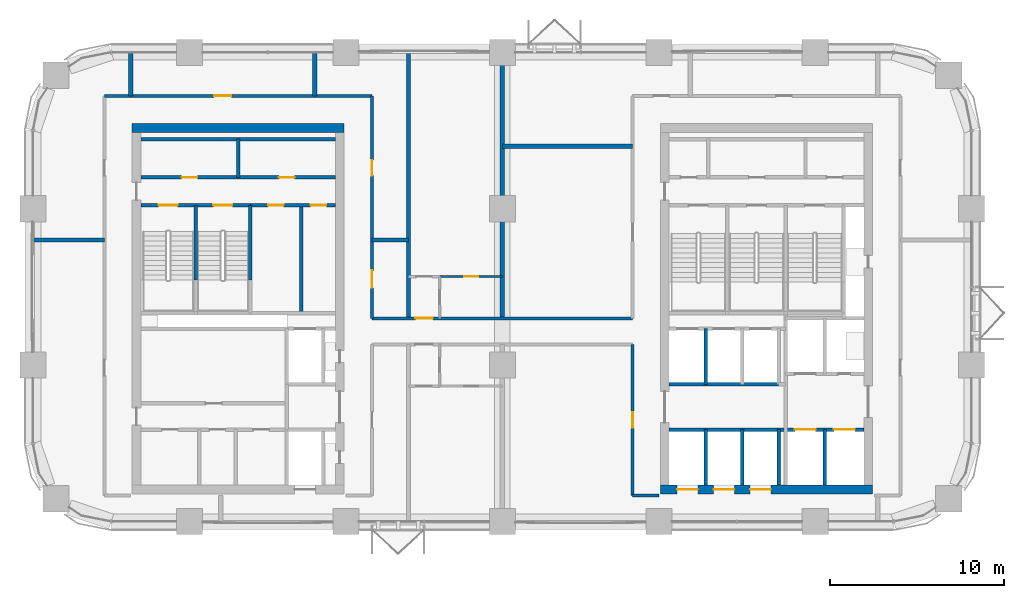
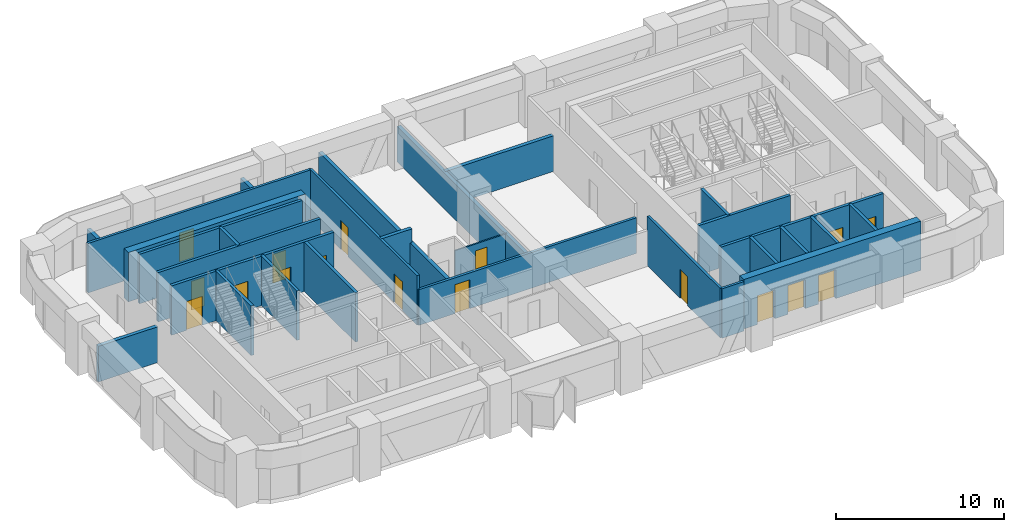
# One storey, part 9 of 13: 30 walls, 17 doors, 17 openings.
"""IFC4 building model written with IfcOpenShell, lengths in metres."""

from ifc_helpers import new_model, si_unit, direction, frame, frame_2d, origin, place, context, subcontext, project, spatial, rectangle, extrude, material, layer, layer_set, type_object, element, fill, save


model = new_model("IFC4")

# Units and contexts
model_context = context("Model", 3, precision=1e-05, world=origin(), true_north=direction((0.0, 1.0)))
body_context = subcontext(model_context, "Body", "Model", "MODEL_VIEW")
ifc_project = project(units=[si_unit("LENGTHUNIT", "METRE"), si_unit("AREAUNIT", "SQUARE_METRE"), si_unit("VOLUMEUNIT", "CUBIC_METRE"), si_unit("PLANEANGLEUNIT", "RADIAN"), si_unit("MASSUNIT", "GRAM", prefix="KILO")], contexts=[model_context])

# Site, building, storey
site_placement = place(None, origin())
site = spatial("IfcSite", under=ifc_project, at=site_placement, CompositionType="ELEMENT")
building_placement = place(site_placement, origin())
building = spatial("IfcBuilding", under=site, at=building_placement, Name="Tessera Arch", CompositionType="ELEMENT")
storey_placement = place(building_placement, frame((0.0, 0.0, 162.199951171875)))
storey = spatial("IfcBuildingStorey", under=building, at=storey_placement, Name="L38", CompositionType="ELEMENT", Elevation=162.199951171875)

# Walls
ifc_material_1 = material(Name="Gypsum board on steel stud", Category="steel")
ifc_layer_1 = layer(ifc_material_1, 0.125)
ifc_layer_set_1 = layer_set([ifc_layer_1], Name="Core partition 125 EI 60")
wall_type_1 = type_object("IfcWallType", Name="Core partition 125 EI 60", PredefinedType="PARTITIONING", material=ifc_layer_set_1)
wall_1_placement = place(storey_placement, frame((11.800048828125, 46.800048828125, 0.0), z_axis=(0.0, 0.0, 1.0), x_axis=(0.0, 1.0, 0.0)))
element("IfcWall", 1, at=wall_1_placement, inside=storey, type_object=wall_type_1, Name="L38 C2 partition wall 5", PredefinedType="PARTITIONING", context=body_context, shape_type="SweptSolid", body=[
    extrude(rectangle(XDim=2.199951171875, YDim=0.199951171875, at=frame_2d((1.10009765625, 0.0))), origin(), (0.0, 0.0, 1.0), 3.60009765625),
])
wall_2_placement = place(storey_placement, frame((15.43994140625, 39.0, 0.0), z_axis=(0.0, 0.0, 1.0), x_axis=(0.0, 1.0, 0.0)))
element("IfcWall", 2, at=wall_2_placement, inside=storey, type_object=wall_type_1, Name="L38 C2 partition wall 11", PredefinedType="PARTITIONING", context=body_context, shape_type="SweptSolid", body=[
    extrude(rectangle(XDim=6.199951171875, YDim=0.199951171875, at=frame_2d((3.10009765625, 0.0))), origin(), (0.0, 0.0, 1.0), 3.60009765625),
])

# Wall, openings, doors
wall_3_placement = place(storey_placement, frame((12.5, 45.199951171875, 0.0), z_axis=(0.0, 0.0, 1.0), x_axis=(1.0, 0.0, 0.0)))
wall_3 = element("IfcWall", 3, at=wall_3_placement, inside=storey, type_object=wall_type_1, Name="L38 C2 partition wall 23", PredefinedType="PARTITIONING", context=body_context, shape_type="SweptSolid", body=[
    extrude(rectangle(XDim=4.89990234375, YDim=0.199951171875, at=frame_2d((2.449951171875, 0.0))), origin(), (0.0, 0.0, 1.0), 3.60009765625),
])
opening_1_placement = place(wall_3_placement, frame((1.02001953125, 0.0, 0.0)))
opening_1 = element("IfcOpeningElement", 4, at=opening_1_placement, cuts=wall_3, Name="Opening L38-C32", PredefinedType="OPENING", context=body_context, shape_type="SweptSolid", body=[
    extrude(rectangle(XDim=0.89990234375, YDim=2.10009765625, at=frame_2d((0.449951171875, 1.050048828125))), frame((0.0, 0.10986328125, 0.0), z_axis=(0.0, -1.0, 0.0), x_axis=(1.0, 0.0, 0.0)), (0.0, 0.0, 1.0), 0.219970703125),
])
opening_2_placement = place(wall_3_placement, frame((3.469970703125, 0.0, 0.0)))
opening_2 = element("IfcOpeningElement", 5, at=opening_2_placement, cuts=wall_3, Name="Opening L38-C33", PredefinedType="OPENING", context=body_context, shape_type="SweptSolid", body=[
    extrude(rectangle(XDim=0.89990234375, YDim=2.10009765625, at=frame_2d((0.449951171875, 1.050048828125))), frame((0.0, 0.10986328125, 0.0), z_axis=(0.0, -1.0, 0.0), x_axis=(1.0, 0.0, 0.0)), (0.0, 0.0, 1.0), 0.219970703125),
])
ifc_material_2 = material(Name="Steel door leaf", Category="steel")
door_type_1 = type_object("IfcDoorType", Name="Store door FD30S 900 x 2100", OperationType="SINGLE_SWING_LEFT", PredefinedType="DOOR", material=ifc_material_2)
door_1_placement = place(opening_1_placement, origin())
door_1 = element("IfcDoor", 6, at=door_1_placement, inside=storey, type_object=door_type_1, Name="L38 C2 door 12 C32 type D09", OperationType="SINGLE_SWING_LEFT", OverallHeight=2.10009765625, OverallWidth=0.89990234375, PredefinedType="DOOR", context=body_context, shape_type="SweptSolid", body=[
    extrude(rectangle(XDim=0.89990234375, YDim=2.10009765625, at=frame_2d((0.449951171875, 1.050048828125))), frame((0.0, 0.02490234375, 0.0), z_axis=(0.0, -1.0, 0.0), x_axis=(1.0, 0.0, 0.0)), (0.0, 0.0, 1.0), 0.050048828125),
])
fill(opening_1, door_1)
door_2_placement = place(opening_2_placement, origin())
door_2 = element("IfcDoor", 7, at=door_2_placement, inside=storey, type_object=door_type_1, Name="L38 C2 door 13 C33 type D09", OperationType="SINGLE_SWING_RIGHT", OverallHeight=2.10009765625, OverallWidth=0.89990234375, PredefinedType="DOOR", context=body_context, shape_type="SweptSolid", body=[
    extrude(rectangle(XDim=0.89990234375, YDim=2.10009765625, at=frame_2d((0.449951171875, 1.050048828125))), frame((0.0, 0.02490234375, 0.0), z_axis=(0.0, -1.0, 0.0), x_axis=(1.0, 0.0, 0.0)), (0.0, 0.0, 1.0), 0.050048828125),
])
fill(opening_2, door_2)

wall_4_placement = place(storey_placement, frame((6.199951171875, 46.800048828125, 0.0), z_axis=(0.0, 0.0, 1.0), x_axis=(1.0, 0.0, 0.0)))
wall_4 = element("IfcWall", 8, at=wall_4_placement, inside=storey, type_object=wall_type_1, Name="L38 C2 partition wall 25", PredefinedType="PARTITIONING", context=body_context, shape_type="SweptSolid", body=[
    extrude(rectangle(XDim=11.199951171875, YDim=0.199951171875, at=frame_2d((5.60009765625, 0.0))), origin(), (0.0, 0.0, 1.0), 3.60009765625),
])
opening_3_placement = place(wall_4_placement, frame((2.35009765625, 0.0, 0.0)))
opening_3 = element("IfcOpeningElement", 9, at=opening_3_placement, cuts=wall_4, Name="Opening L38-C30", PredefinedType="OPENING", context=body_context, shape_type="SweptSolid", body=[
    extrude(rectangle(XDim=0.89990234375, YDim=2.10009765625, at=frame_2d((0.449951171875, 1.050048828125))), frame((0.0, 0.10986328125, 0.0), z_axis=(0.0, -1.0, 0.0), x_axis=(1.0, 0.0, 0.0)), (0.0, 0.0, 1.0), 0.219970703125),
])
opening_4_placement = place(wall_4_placement, frame((7.949951171875, 0.0, 0.0)))
opening_4 = element("IfcOpeningElement", 10, at=opening_4_placement, cuts=wall_4, Name="Opening L38-C31", PredefinedType="OPENING", context=body_context, shape_type="SweptSolid", body=[
    extrude(rectangle(XDim=0.89990234375, YDim=2.10009765625, at=frame_2d((0.449951171875, 1.050048828125))), frame((0.0, 0.10986328125, 0.0), z_axis=(0.0, -1.0, 0.0), x_axis=(1.0, 0.0, 0.0)), (0.0, 0.0, 1.0), 0.219970703125),
])
door_3_placement = place(opening_3_placement, origin())
door_3 = element("IfcDoor", 11, at=door_3_placement, inside=storey, type_object=door_type_1, Name="L38 C2 door 10 C30 type D09", OperationType="SINGLE_SWING_LEFT", OverallHeight=2.10009765625, OverallWidth=0.89990234375, PredefinedType="DOOR", context=body_context, shape_type="SweptSolid", body=[
    extrude(rectangle(XDim=0.89990234375, YDim=2.10009765625, at=frame_2d((0.449951171875, 1.050048828125))), frame((0.0, 0.02490234375, 0.0), z_axis=(0.0, -1.0, 0.0), x_axis=(1.0, 0.0, 0.0)), (0.0, 0.0, 1.0), 0.050048828125),
])
fill(opening_3, door_3)
door_4_placement = place(opening_4_placement, origin())
door_4 = element("IfcDoor", 12, at=door_4_placement, inside=storey, type_object=door_type_1, Name="L38 C2 door 11 C31 type D09", OperationType="SINGLE_SWING_RIGHT", OverallHeight=2.10009765625, OverallWidth=0.89990234375, PredefinedType="DOOR", context=body_context, shape_type="SweptSolid", body=[
    extrude(rectangle(XDim=0.89990234375, YDim=2.10009765625, at=frame_2d((0.449951171875, 1.050048828125))), frame((0.0, 0.02490234375, 0.0), z_axis=(0.0, -1.0, 0.0), x_axis=(1.0, 0.0, 0.0)), (0.0, 0.0, 1.0), 0.050048828125),
])
fill(opening_4, door_4)

# Wall
wall_5_placement = place(storey_placement, frame((6.199951171875, 49.0, 0.0), z_axis=(0.0, 0.0, 1.0), x_axis=(1.0, 0.0, 0.0)))
element("IfcWall", 13, at=wall_5_placement, inside=storey, type_object=wall_type_1, Name="L38 C2 partition wall 26", PredefinedType="PARTITIONING", context=body_context, shape_type="SweptSolid", body=[
    extrude(rectangle(XDim=11.199951171875, YDim=0.199951171875, at=frame_2d((5.60009765625, 0.0))), origin(), (0.0, 0.0, 1.0), 3.60009765625),
])

# Wall, openings, doors
ifc_material_3 = material(Name="Concrete C60/75", Category="concrete")
ifc_layer_2 = layer(ifc_material_3, 0.5)
ifc_layer_set_2 = layer_set([ifc_layer_2], Name="Core shell wall 500 C60-75")
wall_type_2 = type_object("IfcWallType", Name="Core shell wall 500 C60-75", PredefinedType="SHEAR", material=ifc_layer_set_2)
wall_6_placement = place(storey_placement, frame((36.10009765625, 28.85009765625, 0.0), z_axis=(0.0, 0.0, 1.0), x_axis=(1.0, 0.0, 0.0)))
wall_6 = element("IfcWall", 14, at=wall_6_placement, inside=storey, type_object=wall_type_2, Name="L38 C1 core wall S", PredefinedType="SHEAR", context=body_context, shape_type="SweptSolid", body=[
    extrude(rectangle(XDim=12.199951171875, YDim=0.5, at=frame_2d((6.10009765625, 0.0))), origin(), (0.0, 0.0, 1.0), 3.60009765625),
])
opening_5_placement = place(wall_6_placement, frame((0.949951171875, 0.0, 0.0)))
opening_5 = element("IfcOpeningElement", 15, at=opening_5_placement, cuts=wall_6, Name="Opening L38-C01", PredefinedType="OPENING", context=body_context, shape_type="SweptSolid", body=[
    extrude(rectangle(XDim=1.199951171875, YDim=2.10009765625, at=frame_2d((0.60009765625, 1.050048828125))), frame((0.0, 0.260009765625, 0.0), z_axis=(0.0, -1.0, 0.0), x_axis=(1.0, 0.0, 0.0)), (0.0, 0.0, 1.0), 0.52001953125),
])
opening_6_placement = place(wall_6_placement, frame((3.050048828125, 0.0, 0.0)))
opening_6 = element("IfcOpeningElement", 16, at=opening_6_placement, cuts=wall_6, Name="Opening L38-C03", PredefinedType="OPENING", context=body_context, shape_type="SweptSolid", body=[
    extrude(rectangle(XDim=1.199951171875, YDim=2.10009765625, at=frame_2d((0.60009765625, 1.050048828125))), frame((0.0, 0.260009765625, 0.0), z_axis=(0.0, -1.0, 0.0), x_axis=(1.0, 0.0, 0.0)), (0.0, 0.0, 1.0), 0.52001953125),
])
opening_7_placement = place(wall_6_placement, frame((5.14990234375, 0.0, 0.0)))
opening_7 = element("IfcOpeningElement", 17, at=opening_7_placement, cuts=wall_6, Name="Opening L38-C05", PredefinedType="OPENING", context=body_context, shape_type="SweptSolid", body=[
    extrude(rectangle(XDim=1.199951171875, YDim=2.10009765625, at=frame_2d((0.60009765625, 1.050048828125))), frame((0.0, 0.260009765625, 0.0), z_axis=(0.0, -1.0, 0.0), x_axis=(1.0, 0.0, 0.0)), (0.0, 0.0, 1.0), 0.52001953125),
])
ifc_material_4 = material(Name="Stainless steel AISI 304", Category="steel")
door_type_2 = type_object("IfcDoorType", Name="Sliding landing door 1200 x 2100", OperationType="SLIDING_TO_LEFT", PredefinedType="DOOR", material=ifc_material_4)
door_5_placement = place(opening_5_placement, origin())
door_5 = element("IfcDoor", 18, at=door_5_placement, inside=storey, type_object=door_type_2, Name="L38 HR1 lift landing door C01 type LD", OperationType="SLIDING_TO_LEFT", OverallHeight=2.10009765625, OverallWidth=1.199951171875, PredefinedType="DOOR", context=body_context, shape_type="SweptSolid", body=[
    extrude(rectangle(XDim=1.199951171875, YDim=2.10009765625, at=frame_2d((0.60009765625, 1.050048828125))), frame((0.0, 0.02490234375, 0.0), z_axis=(0.0, -1.0, 0.0), x_axis=(1.0, 0.0, 0.0)), (0.0, 0.0, 1.0), 0.050048828125),
])
fill(opening_5, door_5)
door_6_placement = place(opening_6_placement, origin())
door_6 = element("IfcDoor", 19, at=door_6_placement, inside=storey, type_object=door_type_2, Name="L38 HR2 lift landing door C03 type LD", OperationType="SLIDING_TO_LEFT", OverallHeight=2.10009765625, OverallWidth=1.199951171875, PredefinedType="DOOR", context=body_context, shape_type="SweptSolid", body=[
    extrude(rectangle(XDim=1.199951171875, YDim=2.10009765625, at=frame_2d((0.60009765625, 1.050048828125))), frame((0.0, 0.02490234375, 0.0), z_axis=(0.0, -1.0, 0.0), x_axis=(1.0, 0.0, 0.0)), (0.0, 0.0, 1.0), 0.050048828125),
])
fill(opening_6, door_6)
door_7_placement = place(opening_7_placement, origin())
door_7 = element("IfcDoor", 20, at=door_7_placement, inside=storey, type_object=door_type_2, Name="L38 HR3 lift landing door C05 type LD", OperationType="SLIDING_TO_LEFT", OverallHeight=2.10009765625, OverallWidth=1.199951171875, PredefinedType="DOOR", context=body_context, shape_type="SweptSolid", body=[
    extrude(rectangle(XDim=1.199951171875, YDim=2.10009765625, at=frame_2d((0.60009765625, 1.050048828125))), frame((0.0, 0.02490234375, 0.0), z_axis=(0.0, -1.0, 0.0), x_axis=(1.0, 0.0, 0.0)), (0.0, 0.0, 1.0), 0.050048828125),
])
fill(opening_7, door_7)

# Walls
wall_7_placement = place(storey_placement, frame((5.699951171875, 49.64990234375, 0.0), z_axis=(0.0, 0.0, 1.0), x_axis=(1.0, 0.0, 0.0)))
element("IfcWall", 21, at=wall_7_placement, inside=storey, type_object=wall_type_2, Name="L38 C2 core wall N", PredefinedType="SHEAR", context=body_context, shape_type="SweptSolid", body=[
    extrude(rectangle(XDim=12.199951171875, YDim=0.5, at=frame_2d((6.10009765625, 0.0))), origin(), (0.0, 0.0, 1.0), 3.60009765625),
])
ifc_material_5 = material(Name="Gypsum board on deep steel stud with mineral wool", Category="steel")
ifc_layer_3 = layer(ifc_material_5, 0.175048828125)
ifc_layer_set_3 = layer_set([ifc_layer_3], Name="Corridor wall 175 EI 60")
wall_type_3 = type_object("IfcWallType", Name="Corridor wall 175 EI 60", PredefinedType="PARTITIONING", material=ifc_layer_set_3)
wall_8_placement = place(storey_placement, frame((34.5, 28.5, 0.0), z_axis=(0.0, 0.0, 1.0), x_axis=(1.0, 0.0, 0.0)))
element("IfcWall", 22, at=wall_8_placement, inside=storey, type_object=wall_type_3, Name="L38 partition 3", PredefinedType="PARTITIONING", context=body_context, shape_type="SweptSolid", body=[
    extrude(rectangle(XDim=1.5, YDim=0.175048828125, at=frame_2d((0.75, 0.0))), origin(), (0.0, 0.0, 1.0), 3.60009765625),
])

# Wall, opening, door
wall_9_placement = place(storey_placement, frame((19.5, 38.699951171875, 0.0), z_axis=(0.0, 0.0, 1.0), x_axis=(1.0, 0.0, 0.0)))
wall_9 = element("IfcWall", 23, at=wall_9_placement, inside=storey, type_object=wall_type_3, Name="L38 partition 6", PredefinedType="PARTITIONING", context=body_context, shape_type="SweptSolid", body=[
    extrude(rectangle(XDim=15.0, YDim=0.175048828125, at=frame_2d((7.5, 0.0))), origin(), (0.0, 0.0, 1.0), 2.60009765625),
])
opening_8_placement = place(wall_9_placement, frame((2.5, 0.0, 0.0)))
opening_8 = element("IfcOpeningElement", 24, at=opening_8_placement, cuts=wall_9, Name="Opening L38-D011", PredefinedType="OPENING", context=body_context, shape_type="SweptSolid", body=[
    extrude(rectangle(XDim=1.0, YDim=2.10009765625, at=frame_2d((0.5, 1.050048828125))), frame((0.0, 0.097412109375, 0.0), z_axis=(0.0, -1.0, 0.0), x_axis=(1.0, 0.0, 0.0)), (0.0, 0.0, 1.0), 0.195068359375),
])
ifc_material_6 = material(Name="Fire-rated door leaf")
door_type_3 = type_object("IfcDoorType", Name="Entrance door FD30S 1000 x 2100", OperationType="SINGLE_SWING_LEFT", PredefinedType="DOOR", material=ifc_material_6)
door_8_placement = place(opening_8_placement, origin())
door_8 = element("IfcDoor", 25, at=door_8_placement, inside=storey, type_object=door_type_3, Name="L38 door D011 type D03", OperationType="SINGLE_SWING_RIGHT", OverallHeight=2.10009765625, OverallWidth=1.0, PredefinedType="DOOR", context=body_context, shape_type="SweptSolid", body=[
    extrude(rectangle(XDim=1.0, YDim=2.10009765625, at=frame_2d((0.5, 1.050048828125))), frame((0.0, 0.02490234375, 0.0), z_axis=(0.0, -1.0, 0.0), x_axis=(1.0, 0.0, 0.0)), (0.0, 0.0, 1.0), 0.050048828125),
])
fill(opening_8, door_8)

wall_10_placement = place(storey_placement, frame((4.10009765625, 51.5, 0.0), z_axis=(0.0, 0.0, 1.0), x_axis=(1.0, 0.0, 0.0)))
wall_10 = element("IfcWall", 26, at=wall_10_placement, inside=storey, type_object=wall_type_3, Name="L38 partition 7", PredefinedType="PARTITIONING", context=body_context, shape_type="SweptSolid", body=[
    extrude(rectangle(XDim=15.39990234375, YDim=0.175048828125, at=frame_2d((7.699951171875, 0.0))), origin(), (0.0, 0.0, 1.0), 3.60009765625),
])
opening_9_placement = place(wall_10_placement, frame((6.314453125, 0.0, 0.0)))
opening_9 = element("IfcOpeningElement", 27, at=opening_9_placement, cuts=wall_10, Name="Opening L38-D019", PredefinedType="OPENING", context=body_context, shape_type="SweptSolid", body=[
    extrude(rectangle(XDim=1.0, YDim=2.10009765625, at=frame_2d((0.5, 1.050048828125))), frame((0.0, 0.097412109375, 0.0), z_axis=(0.0, -1.0, 0.0), x_axis=(1.0, 0.0, 0.0)), (0.0, 0.0, 1.0), 0.195068359375),
])
door_9_placement = place(opening_9_placement, origin())
door_9 = element("IfcDoor", 28, at=door_9_placement, inside=storey, type_object=door_type_3, Name="L38 door D019 type D03", OperationType="SINGLE_SWING_LEFT", OverallHeight=2.10009765625, OverallWidth=1.0, PredefinedType="DOOR", context=body_context, shape_type="SweptSolid", body=[
    extrude(rectangle(XDim=1.0, YDim=2.10009765625, at=frame_2d((0.5, 1.050048828125))), frame((0.0, 0.02490234375, 0.0), z_axis=(0.0, -1.0, 0.0), x_axis=(1.0, 0.0, 0.0)), (0.0, 0.0, 1.0), 0.050048828125),
])
fill(opening_9, door_9)

# Wall, openings, doors
wall_11_placement = place(storey_placement, frame((19.5, 38.699951171875, 0.0), z_axis=(0.0, 0.0, 1.0), x_axis=(0.0, 1.0, 0.0)))
wall_11 = element("IfcWall", 29, at=wall_11_placement, inside=storey, type_object=wall_type_3, Name="L38 partition 11", PredefinedType="PARTITIONING", context=body_context, shape_type="SweptSolid", body=[
    extrude(rectangle(XDim=12.800048828125, YDim=0.175048828125, at=frame_2d((6.39990234375, 0.0))), origin(), (0.0, 0.0, 1.0), 3.60009765625),
])
opening_10_placement = place(wall_11_placement, frame((1.75, 0.0, 0.0)))
opening_10 = element("IfcOpeningElement", 30, at=opening_10_placement, cuts=wall_11, Name="Opening L38-D009", PredefinedType="OPENING", context=body_context, shape_type="SweptSolid", body=[
    extrude(rectangle(XDim=1.0, YDim=2.10009765625, at=frame_2d((0.5, 1.050048828125))), frame((0.0, 0.097412109375, 0.0), z_axis=(0.0, -1.0, 0.0), x_axis=(1.0, 0.0, 0.0)), (0.0, 0.0, 1.0), 0.195068359375),
])
opening_11_placement = place(wall_11_placement, frame((8.199951171875, 0.0, 0.0)))
opening_11 = element("IfcOpeningElement", 31, at=opening_11_placement, cuts=wall_11, Name="Opening L38-D017", PredefinedType="OPENING", context=body_context, shape_type="SweptSolid", body=[
    extrude(rectangle(XDim=0.89990234375, YDim=2.10009765625, at=frame_2d((0.449951171875, 1.050048828125))), frame((0.0, 0.097412109375, 0.0), z_axis=(0.0, -1.0, 0.0), x_axis=(1.0, 0.0, 0.0)), (0.0, 0.0, 1.0), 0.195068359375),
])
door_10_placement = place(opening_10_placement, origin())
door_10 = element("IfcDoor", 32, at=door_10_placement, inside=storey, type_object=door_type_3, Name="L38 door D009 type D03", OperationType="SINGLE_SWING_LEFT", OverallHeight=2.10009765625, OverallWidth=1.0, PredefinedType="DOOR", context=body_context, shape_type="SweptSolid", body=[
    extrude(rectangle(XDim=1.0, YDim=2.10009765625, at=frame_2d((0.5, 1.050048828125))), frame((0.0, 0.02490234375, 0.0), z_axis=(0.0, -1.0, 0.0), x_axis=(1.0, 0.0, 0.0)), (0.0, 0.0, 1.0), 0.050048828125),
])
fill(opening_10, door_10)
ifc_material_7 = material(Name="Timber door leaf", Category="wood")
door_type_4 = type_object("IfcDoorType", Name="Room door 900 x 2100", OperationType="SINGLE_SWING_LEFT", PredefinedType="DOOR", material=ifc_material_7)
door_11_placement = place(opening_11_placement, origin())
door_11 = element("IfcDoor", 33, at=door_11_placement, inside=storey, type_object=door_type_4, Name="L38 door D017 type D01", OperationType="SINGLE_SWING_RIGHT", OverallHeight=2.10009765625, OverallWidth=0.89990234375, PredefinedType="DOOR", context=body_context, shape_type="SweptSolid", body=[
    extrude(rectangle(XDim=0.89990234375, YDim=2.10009765625, at=frame_2d((0.449951171875, 1.050048828125))), frame((0.0, 0.02490234375, 0.0), z_axis=(0.0, -1.0, 0.0), x_axis=(1.0, 0.0, 0.0)), (0.0, 0.0, 1.0), 0.050048828125),
])
fill(opening_11, door_11)

# Wall, opening, door
wall_12_placement = place(storey_placement, frame((34.5, 28.5, 0.0), z_axis=(0.0, 0.0, 1.0), x_axis=(0.0, 1.0, 0.0)))
wall_12 = element("IfcWall", 34, at=wall_12_placement, inside=storey, type_object=wall_type_3, Name="L38 partition 12", PredefinedType="PARTITIONING", context=body_context, shape_type="SweptSolid", body=[
    extrude(rectangle(XDim=8.699951171875, YDim=0.175048828125, at=frame_2d((4.35009765625, 0.0))), origin(), (0.0, 0.0, 1.0), 3.60009765625),
])
opening_12_placement = place(wall_12_placement, frame((3.89990234375, 0.0, 0.0)))
opening_12 = element("IfcOpeningElement", 35, at=opening_12_placement, cuts=wall_12, Name="Opening L38-D002", PredefinedType="OPENING", context=body_context, shape_type="SweptSolid", body=[
    extrude(rectangle(XDim=0.89990234375, YDim=2.10009765625, at=frame_2d((0.449951171875, 1.050048828125))), frame((0.0, 0.097412109375, 0.0), z_axis=(0.0, -1.0, 0.0), x_axis=(1.0, 0.0, 0.0)), (0.0, 0.0, 1.0), 0.195068359375),
])
door_12_placement = place(opening_12_placement, origin())
door_12 = element("IfcDoor", 36, at=door_12_placement, inside=storey, type_object=door_type_4, Name="L38 door D002 type D01", OperationType="SINGLE_SWING_RIGHT", OverallHeight=2.10009765625, OverallWidth=0.89990234375, PredefinedType="DOOR", context=body_context, shape_type="SweptSolid", body=[
    extrude(rectangle(XDim=0.89990234375, YDim=2.10009765625, at=frame_2d((0.449951171875, 1.050048828125))), frame((0.0, 0.02490234375, 0.0), z_axis=(0.0, -1.0, 0.0), x_axis=(1.0, 0.0, 0.0)), (0.0, 0.0, 1.0), 0.050048828125),
])
fill(opening_12, door_12)

# Walls
ifc_material_8 = material(Name="Double gypsum board on twin steel stud with acoustic mineral wool", Category="steel")
ifc_layer_4 = layer(ifc_material_8, 0.25)
ifc_layer_set_4 = layer_set([ifc_layer_4], Name="Party wall 250 EI 60")
wall_type_4 = type_object("IfcWallType", Name="Party wall 250 EI 60", PredefinedType="PARTITIONING", material=ifc_layer_set_4)
wall_13_placement = place(storey_placement, frame((0.0, 43.199951171875, 0.0), z_axis=(0.0, 0.0, 1.0), x_axis=(1.0, 0.0, 0.0)))
element("IfcWall", 37, at=wall_13_placement, inside=storey, type_object=wall_type_4, Name="L38 partition 17", PredefinedType="PARTITIONING", context=body_context, shape_type="SweptSolid", body=[
    extrude(rectangle(XDim=4.10009765625, YDim=0.25, at=frame_2d((2.050048828125, 0.0))), origin(), (0.0, 0.0, 1.0), 2.60009765625),
])
wall_14_placement = place(storey_placement, frame((19.5, 43.199951171875, 0.0), z_axis=(0.0, 0.0, 1.0), x_axis=(1.0, 0.0, 0.0)))
element("IfcWall", 38, at=wall_14_placement, inside=storey, type_object=wall_type_4, Name="L38 partition 18", PredefinedType="PARTITIONING", context=body_context, shape_type="SweptSolid", body=[
    extrude(rectangle(XDim=2.10009765625, YDim=0.25, at=frame_2d((1.050048828125, 0.0))), origin(), (0.0, 0.0, 1.0), 3.60009765625),
])
wall_15_placement = place(storey_placement, frame((27.0, 48.60009765625, 0.0), z_axis=(0.0, 0.0, 1.0), x_axis=(1.0, 0.0, 0.0)))
element("IfcWall", 39, at=wall_15_placement, inside=storey, type_object=wall_type_4, Name="L38 partition 20", PredefinedType="PARTITIONING", context=body_context, shape_type="SweptSolid", body=[
    extrude(rectangle(XDim=7.5, YDim=0.25, at=frame_2d((3.75, 0.0))), origin(), (0.0, 0.0, 1.0), 2.60009765625),
])
for number, where, z_axis, x_axis, name in (
    (40, (5.62890625, 51.5, 0.0), (0.0, 0.0, 1.0), (0.0, 1.0, 0.0), "L38 partition 21"),
    (41, (16.199951171875, 51.5, 0.0), (0.0, 0.0, 1.0), (0.0, 1.0, 0.0), "L38 partition 23"),
):
    element("IfcWall", number, at=place(storey_placement, frame(where, z_axis=z_axis, x_axis=x_axis)), inside=storey, type_object=wall_type_4, Name=name, PredefinedType="PARTITIONING", context=body_context, shape_type="SweptSolid", body=[
        extrude(rectangle(XDim=2.5, YDim=0.25, at=frame_2d((1.25, 0.0))), origin(), (0.0, 0.0, 1.0), 2.60009765625),
    ])
for number, where, z_axis, x_axis, name in (
    (42, (21.60009765625, 38.699951171875, 0.0), (0.0, 0.0, 1.0), (0.0, 1.0, 0.0), "L38 partition 25"),
    (43, (27.0, 38.699951171875, 0.0), (0.0, 0.0, 1.0), (0.0, 1.0, 0.0), "L38 partition 27"),
):
    element("IfcWall", number, at=place(storey_placement, frame(where, z_axis=z_axis, x_axis=x_axis)), inside=storey, type_object=wall_type_4, Name=name, PredefinedType="PARTITIONING", context=body_context, shape_type="SweptSolid", body=[
        extrude(rectangle(XDim=15.300048828125, YDim=0.25, at=frame_2d((7.64990234375, 0.0))), origin(), (0.0, 0.0, 1.0), 2.60009765625),
    ])
ifc_material_9 = material(Name="Concrete C40/50", Category="concrete")
ifc_layer_5 = layer(ifc_material_9, 0.199951171875)
ifc_layer_set_5 = layer_set([ifc_layer_5], Name="Shaft wall 200 EI 120")
wall_type_5 = type_object("IfcWallType", Name="Shaft wall 200 EI 120", PredefinedType="SOLIDWALL", material=ifc_layer_set_5)
wall_16_placement = place(storey_placement, frame((38.699951171875, 29.10009765625, 0.0), z_axis=(0.0, 0.0, 1.0), x_axis=(0.0, 1.0, 0.0)))
element("IfcWall", 44, at=wall_16_placement, inside=storey, type_object=wall_type_5, Name="L38 C1 shaft wall 1", PredefinedType="SOLIDWALL", context=body_context, shape_type="SweptSolid", body=[
    extrude(rectangle(XDim=3.199951171875, YDim=0.199951171875, at=frame_2d((1.60009765625, 0.0))), origin(), (0.0, 0.0, 1.0), 3.60009765625),
])
wall_17_placement = place(storey_placement, frame((38.699951171875, 34.89990234375, 0.0), z_axis=(0.0, 0.0, 1.0), x_axis=(0.0, 1.0, 0.0)))
element("IfcWall", 45, at=wall_17_placement, inside=storey, type_object=wall_type_5, Name="L38 C1 shaft wall 2", PredefinedType="SOLIDWALL", context=body_context, shape_type="SweptSolid", body=[
    extrude(rectangle(XDim=3.2001953125, YDim=0.199951171875, at=frame_2d((1.60009765625, 0.0))), origin(), (0.0, 0.0, 1.0), 3.60009765625),
])
for number, where, z_axis, x_axis, name in (
    (46, (40.800048828125, 29.10009765625, 0.0), (0.0, 0.0, 1.0), (0.0, 1.0, 0.0), "L38 C1 shaft wall 6"),
    (47, (42.89990234375, 29.10009765625, 0.0), (0.0, 0.0, 1.0), (0.0, 1.0, 0.0), "L38 C1 shaft wall 8"),
    (48, (45.550048828125, 29.10009765625, 0.0), (0.0, 0.0, 1.0), (0.0, 1.0, 0.0), "L38 C1 shaft wall 14"),
):
    element("IfcWall", number, at=place(storey_placement, frame(where, z_axis=z_axis, x_axis=x_axis)), inside=storey, type_object=wall_type_5, Name=name, PredefinedType="SOLIDWALL", context=body_context, shape_type="SweptSolid", body=[
        extrude(rectangle(XDim=3.199951171875, YDim=0.199951171875, at=frame_2d((1.60009765625, 0.0))), origin(), (0.0, 0.0, 1.0), 3.60009765625),
    ])

# Wall, openings, doors
wall_18_placement = place(storey_placement, frame((36.60009765625, 32.300048828125, 0.0), z_axis=(0.0, 0.0, 1.0), x_axis=(1.0, 0.0, 0.0)))
wall_18 = element("IfcWall", 49, at=wall_18_placement, inside=storey, type_object=wall_type_5, Name="L38 C1 shaft wall 19", PredefinedType="SOLIDWALL", context=body_context, shape_type="SweptSolid", body=[
    extrude(rectangle(XDim=11.199951171875, YDim=0.199951171875, at=frame_2d((5.60009765625, 0.0))), origin(), (0.0, 0.0, 1.0), 3.60009765625),
])
opening_13_placement = place(wall_18_placement, frame((7.22509765625, 0.0, 0.0)))
opening_13 = element("IfcOpeningElement", 50, at=opening_13_placement, cuts=wall_18, Name="Opening L38-C07", PredefinedType="OPENING", context=body_context, shape_type="SweptSolid", body=[
    extrude(rectangle(XDim=1.199951171875, YDim=2.10009765625, at=frame_2d((0.60009765625, 1.050048828125))), frame((0.0, 0.10986328125, 0.0), z_axis=(0.0, -1.0, 0.0), x_axis=(1.0, 0.0, 0.0)), (0.0, 0.0, 1.0), 0.219970703125),
])
opening_14_placement = place(wall_18_placement, frame((9.47509765625, 0.0, 0.0)))
opening_14 = element("IfcOpeningElement", 51, at=opening_14_placement, cuts=wall_18, Name="Opening L38-C08", PredefinedType="OPENING", context=body_context, shape_type="SweptSolid", body=[
    extrude(rectangle(XDim=1.199951171875, YDim=2.10009765625, at=frame_2d((0.60009765625, 1.050048828125))), frame((0.0, 0.10986328125, 0.0), z_axis=(0.0, -1.0, 0.0), x_axis=(1.0, 0.0, 0.0)), (0.0, 0.0, 1.0), 0.219970703125),
])
door_13_placement = place(opening_13_placement, origin())
door_13 = element("IfcDoor", 52, at=door_13_placement, inside=storey, type_object=door_type_2, Name="L38 FF1 lift landing door C07 type LD", OperationType="SLIDING_TO_LEFT", OverallHeight=2.10009765625, OverallWidth=1.199951171875, PredefinedType="DOOR", context=body_context, shape_type="SweptSolid", body=[
    extrude(rectangle(XDim=1.199951171875, YDim=2.10009765625, at=frame_2d((0.60009765625, 1.050048828125))), frame((0.0, 0.02490234375, 0.0), z_axis=(0.0, -1.0, 0.0), x_axis=(1.0, 0.0, 0.0)), (0.0, 0.0, 1.0), 0.050048828125),
])
fill(opening_13, door_13)
door_14_placement = place(opening_14_placement, origin())
door_14 = element("IfcDoor", 53, at=door_14_placement, inside=storey, type_object=door_type_2, Name="L38 FF2 lift landing door C08 type LD", OperationType="SLIDING_TO_LEFT", OverallHeight=2.10009765625, OverallWidth=1.199951171875, PredefinedType="DOOR", context=body_context, shape_type="SweptSolid", body=[
    extrude(rectangle(XDim=1.199951171875, YDim=2.10009765625, at=frame_2d((0.60009765625, 1.050048828125))), frame((0.0, 0.02490234375, 0.0), z_axis=(0.0, -1.0, 0.0), x_axis=(1.0, 0.0, 0.0)), (0.0, 0.0, 1.0), 0.050048828125),
])
fill(opening_14, door_14)

# Walls
wall_19_placement = place(storey_placement, frame((36.60009765625, 34.89990234375, 0.0), z_axis=(0.0, 0.0, 1.0), x_axis=(1.0, 0.0, 0.0)))
element("IfcWall", 54, at=wall_19_placement, inside=storey, type_object=wall_type_5, Name="L38 C1 shaft wall 21", PredefinedType="SOLIDWALL", context=body_context, shape_type="SweptSolid", body=[
    extrude(rectangle(XDim=6.2998046875, YDim=0.199951171875, at=frame_2d((3.14990234375, 0.0))), origin(), (0.0, 0.0, 1.0), 3.60009765625),
])
ifc_material_10 = material(Name="Concrete C40/50", Category="concrete")
ifc_layer_6 = layer(ifc_material_10, 0.199951171875)
ifc_layer_set_6 = layer_set([ifc_layer_6], Name="Stair well wall 200 REI 180")
wall_type_6 = type_object("IfcWallType", Name="Stair well wall 200 REI 180", PredefinedType="SOLIDWALL", material=ifc_layer_set_6)
for number, where, z_axis, x_axis, name in (
    (55, (9.35009765625, 40.89990234375, 0.0), (0.0, 0.0, 1.0), (0.0, 1.0, 0.0), "L38 C2 shaft wall 2"),
    (56, (12.5, 40.89990234375, 0.0), (0.0, 0.0, 1.0), (0.0, 1.0, 0.0), "L38 C2 shaft wall 7"),
):
    element("IfcWall", number, at=place(storey_placement, frame(where, z_axis=z_axis, x_axis=x_axis)), inside=storey, type_object=wall_type_6, Name=name, PredefinedType="SOLIDWALL", context=body_context, shape_type="SweptSolid", body=[
        extrude(rectangle(XDim=4.300048828125, YDim=0.199951171875, at=frame_2d((2.14990234375, 0.0))), origin(), (0.0, 0.0, 1.0), 3.60009765625),
    ])

# Wall, openings, doors
wall_20_placement = place(storey_placement, frame((6.199951171875, 45.199951171875, 0.0), z_axis=(0.0, 0.0, 1.0), x_axis=(1.0, 0.0, 0.0)))
wall_20 = element("IfcWall", 57, at=wall_20_placement, inside=storey, type_object=wall_type_6, Name="L38 C2 shaft wall 24", PredefinedType="SOLIDWALL", context=body_context, shape_type="SweptSolid", body=[
    extrude(rectangle(XDim=6.300048828125, YDim=0.199951171875, at=frame_2d((3.14990234375, 0.0))), origin(), (0.0, 0.0, 1.0), 3.60009765625),
])
opening_15_placement = place(wall_20_placement, frame((1.02490234375, 0.0, 0.0)))
opening_15 = element("IfcOpeningElement", 58, at=opening_15_placement, cuts=wall_20, Name="Opening L38-C25", PredefinedType="OPENING", context=body_context, shape_type="SweptSolid", body=[
    extrude(rectangle(XDim=1.10009765625, YDim=2.10009765625, at=frame_2d((0.550048828125, 1.050048828125))), frame((0.0, 0.10986328125, 0.0), z_axis=(0.0, -1.0, 0.0), x_axis=(1.0, 0.0, 0.0)), (0.0, 0.0, 1.0), 0.219970703125),
])
opening_16_placement = place(wall_20_placement, frame((4.175048828125, 0.0, 0.0)))
opening_16 = element("IfcOpeningElement", 59, at=opening_16_placement, cuts=wall_20, Name="Opening L38-C26", PredefinedType="OPENING", context=body_context, shape_type="SweptSolid", body=[
    extrude(rectangle(XDim=1.10009765625, YDim=2.10009765625, at=frame_2d((0.550048828125, 1.050048828125))), frame((0.0, 0.10986328125, 0.0), z_axis=(0.0, -1.0, 0.0), x_axis=(1.0, 0.0, 0.0)), (0.0, 0.0, 1.0), 0.219970703125),
])
ifc_material_11 = material(Name="Steel door leaf", Category="steel")
door_type_5 = type_object("IfcDoorType", Name="Stair door FD60 1100 x 2100", OperationType="SINGLE_SWING_LEFT", PredefinedType="DOOR", material=ifc_material_11)
door_15_placement = place(opening_15_placement, origin())
door_15 = element("IfcDoor", 60, at=door_15_placement, inside=storey, type_object=door_type_5, Name="L38 C2 door 5 C25 type D05", OperationType="SINGLE_SWING_LEFT", OverallHeight=2.10009765625, OverallWidth=1.10009765625, PredefinedType="DOOR", context=body_context, shape_type="SweptSolid", body=[
    extrude(rectangle(XDim=1.10009765625, YDim=2.10009765625, at=frame_2d((0.550048828125, 1.050048828125))), frame((0.0, 0.02490234375, 0.0), z_axis=(0.0, -1.0, 0.0), x_axis=(1.0, 0.0, 0.0)), (0.0, 0.0, 1.0), 0.050048828125),
])
fill(opening_15, door_15)
door_16_placement = place(opening_16_placement, origin())
door_16 = element("IfcDoor", 61, at=door_16_placement, inside=storey, type_object=door_type_5, Name="L38 C2 door 6 C26 type D05", OperationType="SINGLE_SWING_RIGHT", OverallHeight=2.10009765625, OverallWidth=1.10009765625, PredefinedType="DOOR", context=body_context, shape_type="SweptSolid", body=[
    extrude(rectangle(XDim=1.10009765625, YDim=2.10009765625, at=frame_2d((0.550048828125, 1.050048828125))), frame((0.0, 0.02490234375, 0.0), z_axis=(0.0, -1.0, 0.0), x_axis=(1.0, 0.0, 0.0)), (0.0, 0.0, 1.0), 0.050048828125),
])
fill(opening_16, door_16)

# Wall, opening, door
ifc_material_12 = material(Name="Moisture-resistant board on pre-plumbed steel stud", Category="steel")
ifc_layer_7 = layer(ifc_material_12, 0.10009765625)
ifc_layer_set_7 = layer_set([ifc_layer_7], Name="Wet wall 100")
wall_type_7 = type_object("IfcWallType", Name="Wet wall 100", PredefinedType="PARTITIONING", material=ifc_layer_set_7)
wall_21_placement = place(storey_placement, frame((23.39990234375, 41.10009765625, 0.0), z_axis=(0.0, 0.0, 1.0), x_axis=(1.0, 0.0, 0.0)))
wall_21 = element("IfcWall", 62, at=wall_21_placement, inside=storey, type_object=wall_type_7, Name="L38 partition 32", PredefinedType="PARTITIONING", context=body_context, shape_type="SweptSolid", body=[
    extrude(rectangle(XDim=3.60009765625, YDim=0.10009765625, at=frame_2d((1.800048828125, 0.0))), origin(), (0.0, 0.0, 1.0), 2.60009765625),
])
opening_17_placement = place(wall_21_placement, frame((1.39990234375, 0.0, 0.0)))
opening_17 = element("IfcOpeningElement", 63, at=opening_17_placement, cuts=wall_21, Name="Opening L38-D014", PredefinedType="OPENING", context=body_context, shape_type="SweptSolid", body=[
    extrude(rectangle(XDim=0.800048828125, YDim=2.10009765625, at=frame_2d((0.39990234375, 1.050048828125))), frame((0.0, 0.06005859375, 0.0), z_axis=(0.0, -1.0, 0.0), x_axis=(1.0, 0.0, 0.0)), (0.0, 0.0, 1.0), 0.1201171875),
])
ifc_material_13 = material(Name="Timber door leaf", Category="wood")
door_type_6 = type_object("IfcDoorType", Name="En-suite door 800 x 2100", OperationType="SINGLE_SWING_LEFT", PredefinedType="DOOR", material=ifc_material_13)
door_17_placement = place(opening_17_placement, origin())
door_17 = element("IfcDoor", 64, at=door_17_placement, inside=storey, type_object=door_type_6, Name="L38 door D014 type D02", OperationType="SINGLE_SWING_RIGHT", OverallHeight=2.10009765625, OverallWidth=0.800048828125, PredefinedType="DOOR", context=body_context, shape_type="SweptSolid", body=[
    extrude(rectangle(XDim=0.800048828125, YDim=2.10009765625, at=frame_2d((0.39990234375, 1.050048828125))), frame((0.0, 0.02490234375, 0.0), z_axis=(0.0, -1.0, 0.0), x_axis=(1.0, 0.0, 0.0)), (0.0, 0.0, 1.0), 0.050048828125),
])
fill(opening_17, door_17)

save(model, "model.ifc")
